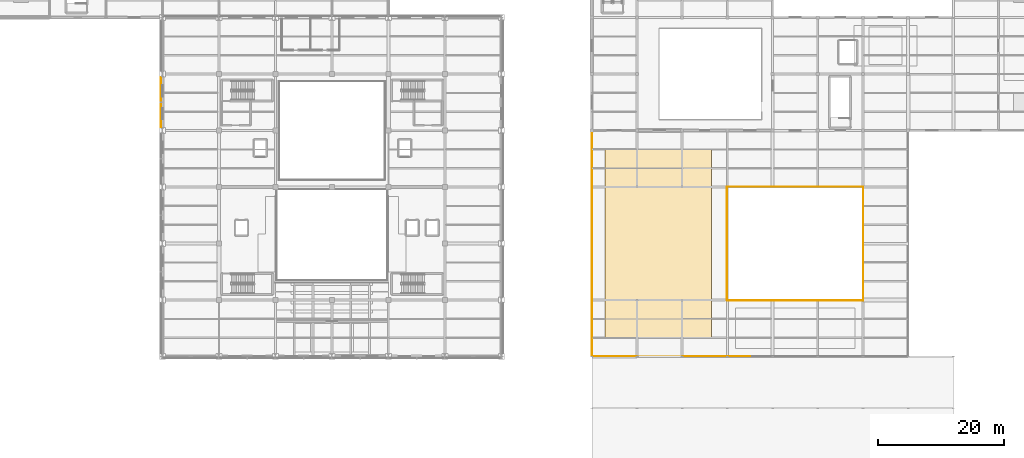
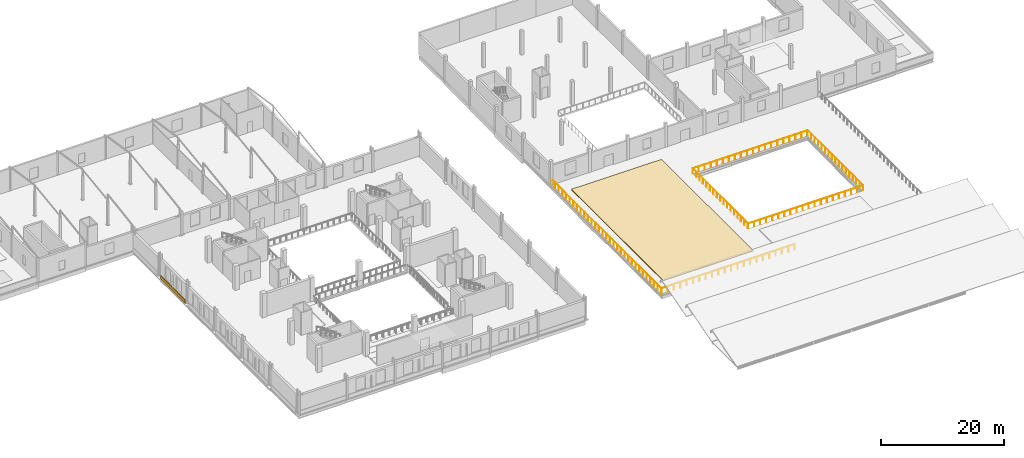
# One storey, part 49 of 54: 3 railings, 2 coverings.
"""IFC4 building model written with IfcOpenShell, lengths in metres."""

from ifc_helpers import new_model, si_unit, direction, frame, origin, origin_2d, place, context, subcontext, project, spatial, rectangle, circle, extrude, material, layer, layer_set, type_object, element, save


model = new_model("IFC4")

# Units and contexts
model_context = context("Model", 3, precision=1e-05, world=origin(), true_north=direction((0.0, 1.0)))
body_context = subcontext(model_context, "Body", "Model", "MODEL_VIEW")
ifc_project = project(units=[si_unit("LENGTHUNIT", "METRE"), si_unit("AREAUNIT", "SQUARE_METRE"), si_unit("VOLUMEUNIT", "CUBIC_METRE"), si_unit("PLANEANGLEUNIT", "RADIAN"), si_unit("MASSUNIT", "GRAM", prefix="KILO")], contexts=[model_context])

# Site, building, storey
site_placement = place(None, origin())
site = spatial("IfcSite", under=ifc_project, at=site_placement, CompositionType="ELEMENT")
building_placement = place(site_placement, origin())
building = spatial("IfcBuilding", under=site, at=building_placement, Name="Sundgate Opera House", CompositionType="ELEMENT")
storey_placement = place(building_placement, frame((0.0, 0.0, 16.800048828125)))
storey = spatial("IfcBuildingStorey", under=building, at=storey_placement, Name="L03", CompositionType="ELEMENT", Elevation=16.800048828125)

# Coverings
ifc_material_1 = material(Name="Intensive sedum green roof substrate and membrane", Category="masonry")
ifc_layer_1 = layer(ifc_material_1, 0.139892578125)
ifc_layer_set_1 = layer_set([ifc_layer_1], Name="Intensive sedum green roof substrate and membrane")
covering_type_1 = type_object("IfcCoveringType", Name="CV-ROOF-SEDUM", PredefinedType="ROOFING", material=ifc_layer_set_1)
covering_1_placement = place(storey_placement, frame((106.0, 51.0, 0.0), z_axis=(0.0, 0.0, 1.0), x_axis=(1.0, 0.0, 0.0)))
element("IfcCovering", 1, at=covering_1_placement, inside=storey, type_object=covering_type_1, Name="L03 Roof Covering CV0120", PredefinedType="ROOFING", context=body_context, shape_type="SweptSolid", body=[
    extrude(rectangle(XDim=17.0, YDim=30.0, at=origin_2d()), origin(), (0.0, 0.0, 1.0), 0.139892578125),
])
ifc_material_2 = material(Name="Deep-carved Komstad limestone relief panel", Category="masonry")
ifc_layer_2 = layer(ifc_material_2, 0.094970703125)
ifc_layer_set_2 = layer_set([ifc_layer_2], Name="Deep-carved Komstad limestone relief panel")
covering_type_2 = type_object("IfcCoveringType", Name="CV-TRENC-DEEP", PredefinedType="CLADDING", material=ifc_layer_set_2)
covering_2_placement = place(storey_placement, frame((26.742431640625, 73.5, 0.044921875), z_axis=(0.0, 0.0, 1.0), x_axis=(0.0, 1.0, 0.0)))
element("IfcCovering", 2, at=covering_2_placement, inside=storey, type_object=covering_type_2, Name="L03 Trencadis 750mm Relief Band CV0045", PredefinedType="CLADDING", context=body_context, shape_type="SweptSolid", body=[
    extrude(rectangle(XDim=8.010009765625, YDim=0.074951171875, at=origin_2d()), origin(), (0.0, 0.0, 1.0), 0.75),
])

# Railings
ifc_material_3 = material(Name="Patinated bronze guardrail", Category="steel")
railing_type = type_object("IfcRailingType", Name="RL-TERR-GUARD-1100", PredefinedType="GUARDRAIL", material=ifc_material_3)
railing_1_placement = place(storey_placement, frame((95.449951171875, 68.949951171875, 0.0)))
element("IfcRailing", 3, at=railing_1_placement, inside=storey, type_object=railing_type, Name="L03 Studio Roof Garden Guardrail RL0006", PredefinedType="GUARDRAIL", context=body_context, shape_type="SweptSolid", body=[
    extrude(circle(Radius=0.02392578125, at=origin_2d()), frame((0.0, 0.0, 1.076171875), z_axis=(0.0, -1.0, 0.0), x_axis=(1.0, 0.0, 0.0)), (0.0, 0.0, 1.0), 35.89990234375),
    extrude(circle(Radius=0.02392578125, at=origin_2d()), frame((0.0, -35.89990234375, 1.076171875), z_axis=(1.0, 0.0, 0.0), x_axis=(0.0, 1.0, 0.0)), (0.0, 0.0, 1.0), 25.150146484375),
    extrude(circle(Radius=0.02099609375, at=origin_2d()), origin(), (0.0, 0.0, 1.0), 1.052001953125),
    extrude(circle(Radius=0.02099609375, at=origin_2d()), frame((0.0, -1.19677734375, 0.0)), (0.0, 0.0, 1.0), 1.052001953125),
    extrude(circle(Radius=0.02099609375, at=origin_2d()), frame((0.0, -2.393310546875, 0.0)), (0.0, 0.0, 1.0), 1.052001953125),
    extrude(circle(Radius=0.02099609375, at=origin_2d()), frame((0.0, -3.590087890625, 0.0)), (0.0, 0.0, 1.0), 1.052001953125),
    extrude(circle(Radius=0.02099609375, at=origin_2d()), frame((0.0, -4.78662109375, 0.0)), (0.0, 0.0, 1.0), 1.052001953125),
    extrude(circle(Radius=0.02099609375, at=origin_2d()), frame((0.0, -5.9833984375, 0.0)), (0.0, 0.0, 1.0), 1.052001953125),
    extrude(circle(Radius=0.02099609375, at=origin_2d()), frame((0.0, -7.179931640625, 0.0)), (0.0, 0.0, 1.0), 1.052001953125),
    extrude(circle(Radius=0.02099609375, at=origin_2d()), frame((0.0, -8.376708984375, 0.0)), (0.0, 0.0, 1.0), 1.052001953125),
    extrude(circle(Radius=0.02099609375, at=origin_2d()), frame((0.0, -9.5732421875, 0.0)), (0.0, 0.0, 1.0), 1.052001953125),
    extrude(circle(Radius=0.02099609375, at=origin_2d()), frame((0.0, -10.77001953125, 0.0)), (0.0, 0.0, 1.0), 1.052001953125),
    extrude(circle(Radius=0.02099609375, at=origin_2d()), frame((0.0, -11.966552734375, 0.0)), (0.0, 0.0, 1.0), 1.052001953125),
    extrude(circle(Radius=0.02099609375, at=origin_2d()), frame((0.0, -13.163330078125, 0.0)), (0.0, 0.0, 1.0), 1.052001953125),
    extrude(circle(Radius=0.02099609375, at=origin_2d()), frame((0.0, -14.35986328125, 0.0)), (0.0, 0.0, 1.0), 1.052001953125),
    extrude(circle(Radius=0.02099609375, at=origin_2d()), frame((0.0, -15.556640625, 0.0)), (0.0, 0.0, 1.0), 1.052001953125),
    extrude(circle(Radius=0.02099609375, at=origin_2d()), frame((0.0, -16.753173828125, 0.0)), (0.0, 0.0, 1.0), 1.052001953125),
    extrude(circle(Radius=0.02099609375, at=origin_2d()), frame((0.0, -17.949951171875, 0.0)), (0.0, 0.0, 1.0), 1.052001953125),
    extrude(circle(Radius=0.02099609375, at=origin_2d()), frame((0.0, -19.146728515625, 0.0)), (0.0, 0.0, 1.0), 1.052001953125),
    extrude(circle(Radius=0.02099609375, at=origin_2d()), frame((0.0, -20.34326171875, 0.0)), (0.0, 0.0, 1.0), 1.052001953125),
    extrude(circle(Radius=0.02099609375, at=origin_2d()), frame((0.0, -21.5400390625, 0.0)), (0.0, 0.0, 1.0), 1.052001953125),
    extrude(circle(Radius=0.02099609375, at=origin_2d()), frame((0.0, -22.736572265625, 0.0)), (0.0, 0.0, 1.0), 1.052001953125),
    extrude(circle(Radius=0.02099609375, at=origin_2d()), frame((0.0, -23.933349609375, 0.0)), (0.0, 0.0, 1.0), 1.052001953125),
    extrude(circle(Radius=0.02099609375, at=origin_2d()), frame((0.0, -25.1298828125, 0.0)), (0.0, 0.0, 1.0), 1.052001953125),
    extrude(circle(Radius=0.02099609375, at=origin_2d()), frame((0.0, -26.32666015625, 0.0)), (0.0, 0.0, 1.0), 1.052001953125),
    extrude(circle(Radius=0.02099609375, at=origin_2d()), frame((0.0, -27.523193359375, 0.0)), (0.0, 0.0, 1.0), 1.052001953125),
    extrude(circle(Radius=0.02099609375, at=origin_2d()), frame((0.0, -28.719970703125, 0.0)), (0.0, 0.0, 1.0), 1.052001953125),
    extrude(circle(Radius=0.02099609375, at=origin_2d()), frame((0.0, -29.91650390625, 0.0)), (0.0, 0.0, 1.0), 1.052001953125),
    extrude(circle(Radius=0.02099609375, at=origin_2d()), frame((0.0, -31.11328125, 0.0)), (0.0, 0.0, 1.0), 1.052001953125),
    extrude(circle(Radius=0.02099609375, at=origin_2d()), frame((0.0, -32.309814453125, 0.0)), (0.0, 0.0, 1.0), 1.052001953125),
    extrude(circle(Radius=0.02099609375, at=origin_2d()), frame((0.0, -33.506591796875, 0.0)), (0.0, 0.0, 1.0), 1.052001953125),
    extrude(circle(Radius=0.02099609375, at=origin_2d()), frame((0.0, -34.703125, 0.0)), (0.0, 0.0, 1.0), 1.052001953125),
    extrude(circle(Radius=0.02099609375, at=origin_2d()), frame((0.0, -35.89990234375, 0.0)), (0.0, 0.0, 1.0), 1.052001953125),
    extrude(circle(Radius=0.02099609375, at=origin_2d()), frame((1.197509765625, -35.89990234375, 0.0)), (0.0, 0.0, 1.0), 1.052001953125),
    extrude(circle(Radius=0.02099609375, at=origin_2d()), frame((2.395263671875, -35.89990234375, 0.0)), (0.0, 0.0, 1.0), 1.052001953125),
    extrude(circle(Radius=0.02099609375, at=origin_2d()), frame((3.5927734375, -35.89990234375, 0.0)), (0.0, 0.0, 1.0), 1.052001953125),
    extrude(circle(Radius=0.02099609375, at=origin_2d()), frame((4.79052734375, -35.89990234375, 0.0)), (0.0, 0.0, 1.0), 1.052001953125),
    extrude(circle(Radius=0.02099609375, at=origin_2d()), frame((5.988037109375, -35.89990234375, 0.0)), (0.0, 0.0, 1.0), 1.052001953125),
    extrude(circle(Radius=0.02099609375, at=origin_2d()), frame((7.185791015625, -35.89990234375, 0.0)), (0.0, 0.0, 1.0), 1.052001953125),
    extrude(circle(Radius=0.02099609375, at=origin_2d()), frame((8.38330078125, -35.89990234375, 0.0)), (0.0, 0.0, 1.0), 1.052001953125),
    extrude(circle(Radius=0.02099609375, at=origin_2d()), frame((9.5810546875, -35.89990234375, 0.0)), (0.0, 0.0, 1.0), 1.052001953125),
    extrude(circle(Radius=0.02099609375, at=origin_2d()), frame((10.778564453125, -35.89990234375, 0.0)), (0.0, 0.0, 1.0), 1.052001953125),
    extrude(circle(Radius=0.02099609375, at=origin_2d()), frame((11.976318359375, -35.89990234375, 0.0)), (0.0, 0.0, 1.0), 1.052001953125),
    extrude(circle(Radius=0.02099609375, at=origin_2d()), frame((13.173828125, -35.89990234375, 0.0)), (0.0, 0.0, 1.0), 1.052001953125),
    extrude(circle(Radius=0.02099609375, at=origin_2d()), frame((14.37158203125, -35.89990234375, 0.0)), (0.0, 0.0, 1.0), 1.052001953125),
    extrude(circle(Radius=0.02099609375, at=origin_2d()), frame((15.569091796875, -35.89990234375, 0.0)), (0.0, 0.0, 1.0), 1.052001953125),
    extrude(circle(Radius=0.02099609375, at=origin_2d()), frame((16.766845703125, -35.89990234375, 0.0)), (0.0, 0.0, 1.0), 1.052001953125),
    extrude(circle(Radius=0.02099609375, at=origin_2d()), frame((17.96435546875, -35.89990234375, 0.0)), (0.0, 0.0, 1.0), 1.052001953125),
    extrude(circle(Radius=0.02099609375, at=origin_2d()), frame((19.162109375, -35.89990234375, 0.0)), (0.0, 0.0, 1.0), 1.052001953125),
    extrude(circle(Radius=0.02099609375, at=origin_2d()), frame((20.359619140625, -35.89990234375, 0.0)), (0.0, 0.0, 1.0), 1.052001953125),
    extrude(circle(Radius=0.02099609375, at=origin_2d()), frame((21.557373046875, -35.89990234375, 0.0)), (0.0, 0.0, 1.0), 1.052001953125),
    extrude(circle(Radius=0.02099609375, at=origin_2d()), frame((22.7548828125, -35.89990234375, 0.0)), (0.0, 0.0, 1.0), 1.052001953125),
    extrude(circle(Radius=0.02099609375, at=origin_2d()), frame((23.95263671875, -35.89990234375, 0.0)), (0.0, 0.0, 1.0), 1.052001953125),
    extrude(circle(Radius=0.02099609375, at=origin_2d()), frame((25.150146484375, -35.89990234375, 0.0)), (0.0, 0.0, 1.0), 1.052001953125),
])
railing_2_placement = place(storey_placement, frame((116.949951171875, 41.949951171875, 0.0)))
element("IfcRailing", 4, at=railing_2_placement, inside=storey, type_object=railing_type, Name="L03 Studio Roof Garden Guardrail RL0008", PredefinedType="GUARDRAIL", context=body_context, shape_type="SweptSolid", body=[
    extrude(circle(Radius=0.02392578125, at=origin_2d()), frame((0.0, 0.0, 1.076171875), z_axis=(1.0, 0.0, 0.0), x_axis=(0.0, 1.0, 0.0)), (0.0, 0.0, 1.0), 21.699951171875),
    extrude(circle(Radius=0.02392578125, at=origin_2d()), frame((21.699951171875, 0.0, 1.076171875), z_axis=(0.0, 1.0, 0.0), x_axis=(-1.0, 0.0, 0.0)), (0.0, 0.0, 1.0), 18.10009765625),
    extrude(circle(Radius=0.02099609375, at=origin_2d()), origin(), (0.0, 0.0, 1.0), 1.052001953125),
    extrude(circle(Radius=0.02099609375, at=origin_2d()), frame((1.14208984375, 0.0, 0.0)), (0.0, 0.0, 1.0), 1.052001953125),
    extrude(circle(Radius=0.02099609375, at=origin_2d()), frame((2.2841796875, 0.0, 0.0)), (0.0, 0.0, 1.0), 1.052001953125),
    extrude(circle(Radius=0.02099609375, at=origin_2d()), frame((3.42626953125, 0.0, 0.0)), (0.0, 0.0, 1.0), 1.052001953125),
    extrude(circle(Radius=0.02099609375, at=origin_2d()), frame((4.568359375, 0.0, 0.0)), (0.0, 0.0, 1.0), 1.052001953125),
    extrude(circle(Radius=0.02099609375, at=origin_2d()), frame((5.71044921875, 0.0, 0.0)), (0.0, 0.0, 1.0), 1.052001953125),
    extrude(circle(Radius=0.02099609375, at=origin_2d()), frame((6.8525390625, 0.0, 0.0)), (0.0, 0.0, 1.0), 1.052001953125),
    extrude(circle(Radius=0.02099609375, at=origin_2d()), frame((7.99462890625, 0.0, 0.0)), (0.0, 0.0, 1.0), 1.052001953125),
    extrude(circle(Radius=0.02099609375, at=origin_2d()), frame((9.13671875, 0.0, 0.0)), (0.0, 0.0, 1.0), 1.052001953125),
    extrude(circle(Radius=0.02099609375, at=origin_2d()), frame((10.27880859375, 0.0, 0.0)), (0.0, 0.0, 1.0), 1.052001953125),
    extrude(circle(Radius=0.02099609375, at=origin_2d()), frame((11.421142578125, 0.0, 0.0)), (0.0, 0.0, 1.0), 1.052001953125),
    extrude(circle(Radius=0.02099609375, at=origin_2d()), frame((12.563232421875, 0.0, 0.0)), (0.0, 0.0, 1.0), 1.052001953125),
    extrude(circle(Radius=0.02099609375, at=origin_2d()), frame((13.705322265625, 0.0, 0.0)), (0.0, 0.0, 1.0), 1.052001953125),
    extrude(circle(Radius=0.02099609375, at=origin_2d()), frame((14.847412109375, 0.0, 0.0)), (0.0, 0.0, 1.0), 1.052001953125),
    extrude(circle(Radius=0.02099609375, at=origin_2d()), frame((15.989501953125, 0.0, 0.0)), (0.0, 0.0, 1.0), 1.052001953125),
    extrude(circle(Radius=0.02099609375, at=origin_2d()), frame((17.131591796875, 0.0, 0.0)), (0.0, 0.0, 1.0), 1.052001953125),
    extrude(circle(Radius=0.02099609375, at=origin_2d()), frame((18.273681640625, 0.0, 0.0)), (0.0, 0.0, 1.0), 1.052001953125),
    extrude(circle(Radius=0.02099609375, at=origin_2d()), frame((19.415771484375, 0.0, 0.0)), (0.0, 0.0, 1.0), 1.052001953125),
    extrude(circle(Radius=0.02099609375, at=origin_2d()), frame((20.557861328125, 0.0, 0.0)), (0.0, 0.0, 1.0), 1.052001953125),
    extrude(circle(Radius=0.02099609375, at=origin_2d()), frame((21.699951171875, 0.0, 0.0)), (0.0, 0.0, 1.0), 1.052001953125),
    extrude(circle(Radius=0.02099609375, at=origin_2d()), frame((21.699951171875, 1.13134765625, 0.0)), (0.0, 0.0, 1.0), 1.052001953125),
    extrude(circle(Radius=0.02099609375, at=origin_2d()), frame((21.699951171875, 2.262451171875, 0.0)), (0.0, 0.0, 1.0), 1.052001953125),
    extrude(circle(Radius=0.02099609375, at=origin_2d()), frame((21.699951171875, 3.393798828125, 0.0)), (0.0, 0.0, 1.0), 1.052001953125),
    extrude(circle(Radius=0.02099609375, at=origin_2d()), frame((21.699951171875, 4.52490234375, 0.0)), (0.0, 0.0, 1.0), 1.052001953125),
    extrude(circle(Radius=0.02099609375, at=origin_2d()), frame((21.699951171875, 5.65625, 0.0)), (0.0, 0.0, 1.0), 1.052001953125),
    extrude(circle(Radius=0.02099609375, at=origin_2d()), frame((21.699951171875, 6.78759765625, 0.0)), (0.0, 0.0, 1.0), 1.052001953125),
    extrude(circle(Radius=0.02099609375, at=origin_2d()), frame((21.699951171875, 7.918701171875, 0.0)), (0.0, 0.0, 1.0), 1.052001953125),
    extrude(circle(Radius=0.02099609375, at=origin_2d()), frame((21.699951171875, 9.050048828125, 0.0)), (0.0, 0.0, 1.0), 1.052001953125),
    extrude(circle(Radius=0.02099609375, at=origin_2d()), frame((21.699951171875, 10.181396484375, 0.0)), (0.0, 0.0, 1.0), 1.052001953125),
    extrude(circle(Radius=0.02099609375, at=origin_2d()), frame((21.699951171875, 11.3125, 0.0)), (0.0, 0.0, 1.0), 1.052001953125),
    extrude(circle(Radius=0.02099609375, at=origin_2d()), frame((21.699951171875, 12.44384765625, 0.0)), (0.0, 0.0, 1.0), 1.052001953125),
    extrude(circle(Radius=0.02099609375, at=origin_2d()), frame((21.699951171875, 13.5751953125, 0.0)), (0.0, 0.0, 1.0), 1.052001953125),
    extrude(circle(Radius=0.02099609375, at=origin_2d()), frame((21.699951171875, 14.706298828125, 0.0)), (0.0, 0.0, 1.0), 1.052001953125),
    extrude(circle(Radius=0.02099609375, at=origin_2d()), frame((21.699951171875, 15.837646484375, 0.0)), (0.0, 0.0, 1.0), 1.052001953125),
    extrude(circle(Radius=0.02099609375, at=origin_2d()), frame((21.699951171875, 16.96875, 0.0)), (0.0, 0.0, 1.0), 1.052001953125),
    extrude(circle(Radius=0.02099609375, at=origin_2d()), frame((21.699951171875, 18.10009765625, 0.0)), (0.0, 0.0, 1.0), 1.052001953125),
])
railing_3_placement = place(storey_placement, frame((138.60009765625, 60.050048828125, 0.0)))
element("IfcRailing", 5, at=railing_3_placement, inside=storey, type_object=railing_type, Name="L03 Studio Roof Garden Guardrail RL0009", PredefinedType="GUARDRAIL", context=body_context, shape_type="SweptSolid", body=[
    extrude(circle(Radius=0.02392578125, at=origin_2d()), frame((0.0, 0.0, 1.076171875), z_axis=(-1.0, 0.0, 0.0), x_axis=(0.0, -1.0, 0.0)), (0.0, 0.0, 1.0), 21.650146484375),
    extrude(circle(Radius=0.02392578125, at=origin_2d()), frame((-21.650146484375, 0.0, 1.076171875), z_axis=(0.0, -1.0, 0.0), x_axis=(1.0, 0.0, 0.0)), (0.0, 0.0, 1.0), 18.050048828125),
    extrude(circle(Radius=0.02099609375, at=origin_2d()), origin(), (0.0, 0.0, 1.0), 1.052001953125),
    extrude(circle(Radius=0.02099609375, at=origin_2d()), frame((-1.139404296875, 0.0, 0.0)), (0.0, 0.0, 1.0), 1.052001953125),
    extrude(circle(Radius=0.02099609375, at=origin_2d()), frame((-2.279052734375, 0.0, 0.0)), (0.0, 0.0, 1.0), 1.052001953125),
    extrude(circle(Radius=0.02099609375, at=origin_2d()), frame((-3.41845703125, 0.0, 0.0)), (0.0, 0.0, 1.0), 1.052001953125),
    extrude(circle(Radius=0.02099609375, at=origin_2d()), frame((-4.557861328125, 0.0, 0.0)), (0.0, 0.0, 1.0), 1.052001953125),
    extrude(circle(Radius=0.02099609375, at=origin_2d()), frame((-5.697509765625, 0.0, 0.0)), (0.0, 0.0, 1.0), 1.052001953125),
    extrude(circle(Radius=0.02099609375, at=origin_2d()), frame((-6.8369140625, 0.0, 0.0)), (0.0, 0.0, 1.0), 1.052001953125),
    extrude(circle(Radius=0.02099609375, at=origin_2d()), frame((-7.976318359375, 0.0, 0.0)), (0.0, 0.0, 1.0), 1.052001953125),
    extrude(circle(Radius=0.02099609375, at=origin_2d()), frame((-9.115966796875, 0.0, 0.0)), (0.0, 0.0, 1.0), 1.052001953125),
    extrude(circle(Radius=0.02099609375, at=origin_2d()), frame((-10.25537109375, 0.0, 0.0)), (0.0, 0.0, 1.0), 1.052001953125),
    extrude(circle(Radius=0.02099609375, at=origin_2d()), frame((-11.394775390625, 0.0, 0.0)), (0.0, 0.0, 1.0), 1.052001953125),
    extrude(circle(Radius=0.02099609375, at=origin_2d()), frame((-12.5341796875, 0.0, 0.0)), (0.0, 0.0, 1.0), 1.052001953125),
    extrude(circle(Radius=0.02099609375, at=origin_2d()), frame((-13.673828125, 0.0, 0.0)), (0.0, 0.0, 1.0), 1.052001953125),
    extrude(circle(Radius=0.02099609375, at=origin_2d()), frame((-14.813232421875, 0.0, 0.0)), (0.0, 0.0, 1.0), 1.052001953125),
    extrude(circle(Radius=0.02099609375, at=origin_2d()), frame((-15.95263671875, 0.0, 0.0)), (0.0, 0.0, 1.0), 1.052001953125),
    extrude(circle(Radius=0.02099609375, at=origin_2d()), frame((-17.09228515625, 0.0, 0.0)), (0.0, 0.0, 1.0), 1.052001953125),
    extrude(circle(Radius=0.02099609375, at=origin_2d()), frame((-18.231689453125, 0.0, 0.0)), (0.0, 0.0, 1.0), 1.052001953125),
    extrude(circle(Radius=0.02099609375, at=origin_2d()), frame((-19.37109375, 0.0, 0.0)), (0.0, 0.0, 1.0), 1.052001953125),
    extrude(circle(Radius=0.02099609375, at=origin_2d()), frame((-20.5107421875, 0.0, 0.0)), (0.0, 0.0, 1.0), 1.052001953125),
    extrude(circle(Radius=0.02099609375, at=origin_2d()), frame((-21.650146484375, 0.0, 0.0)), (0.0, 0.0, 1.0), 1.052001953125),
    extrude(circle(Radius=0.02099609375, at=origin_2d()), frame((-21.650146484375, -1.128173828125, 0.0)), (0.0, 0.0, 1.0), 1.052001953125),
    extrude(circle(Radius=0.02099609375, at=origin_2d()), frame((-21.650146484375, -2.25634765625, 0.0)), (0.0, 0.0, 1.0), 1.052001953125),
    extrude(circle(Radius=0.02099609375, at=origin_2d()), frame((-21.650146484375, -3.38427734375, 0.0)), (0.0, 0.0, 1.0), 1.052001953125),
    extrude(circle(Radius=0.02099609375, at=origin_2d()), frame((-21.650146484375, -4.512451171875, 0.0)), (0.0, 0.0, 1.0), 1.052001953125),
    extrude(circle(Radius=0.02099609375, at=origin_2d()), frame((-21.650146484375, -5.640625, 0.0)), (0.0, 0.0, 1.0), 1.052001953125),
    extrude(circle(Radius=0.02099609375, at=origin_2d()), frame((-21.650146484375, -6.768798828125, 0.0)), (0.0, 0.0, 1.0), 1.052001953125),
    extrude(circle(Radius=0.02099609375, at=origin_2d()), frame((-21.650146484375, -7.89697265625, 0.0)), (0.0, 0.0, 1.0), 1.052001953125),
    extrude(circle(Radius=0.02099609375, at=origin_2d()), frame((-21.650146484375, -9.02490234375, 0.0)), (0.0, 0.0, 1.0), 1.052001953125),
    extrude(circle(Radius=0.02099609375, at=origin_2d()), frame((-21.650146484375, -10.153076171875, 0.0)), (0.0, 0.0, 1.0), 1.052001953125),
    extrude(circle(Radius=0.02099609375, at=origin_2d()), frame((-21.650146484375, -11.28125, 0.0)), (0.0, 0.0, 1.0), 1.052001953125),
    extrude(circle(Radius=0.02099609375, at=origin_2d()), frame((-21.650146484375, -12.409423828125, 0.0)), (0.0, 0.0, 1.0), 1.052001953125),
    extrude(circle(Radius=0.02099609375, at=origin_2d()), frame((-21.650146484375, -13.53759765625, 0.0)), (0.0, 0.0, 1.0), 1.052001953125),
    extrude(circle(Radius=0.02099609375, at=origin_2d()), frame((-21.650146484375, -14.665771484375, 0.0)), (0.0, 0.0, 1.0), 1.052001953125),
    extrude(circle(Radius=0.02099609375, at=origin_2d()), frame((-21.650146484375, -15.793701171875, 0.0)), (0.0, 0.0, 1.0), 1.052001953125),
    extrude(circle(Radius=0.02099609375, at=origin_2d()), frame((-21.650146484375, -16.921875, 0.0)), (0.0, 0.0, 1.0), 1.052001953125),
    extrude(circle(Radius=0.02099609375, at=origin_2d()), frame((-21.650146484375, -18.050048828125, 0.0)), (0.0, 0.0, 1.0), 1.052001953125),
])

save(model, "model.ifc")
